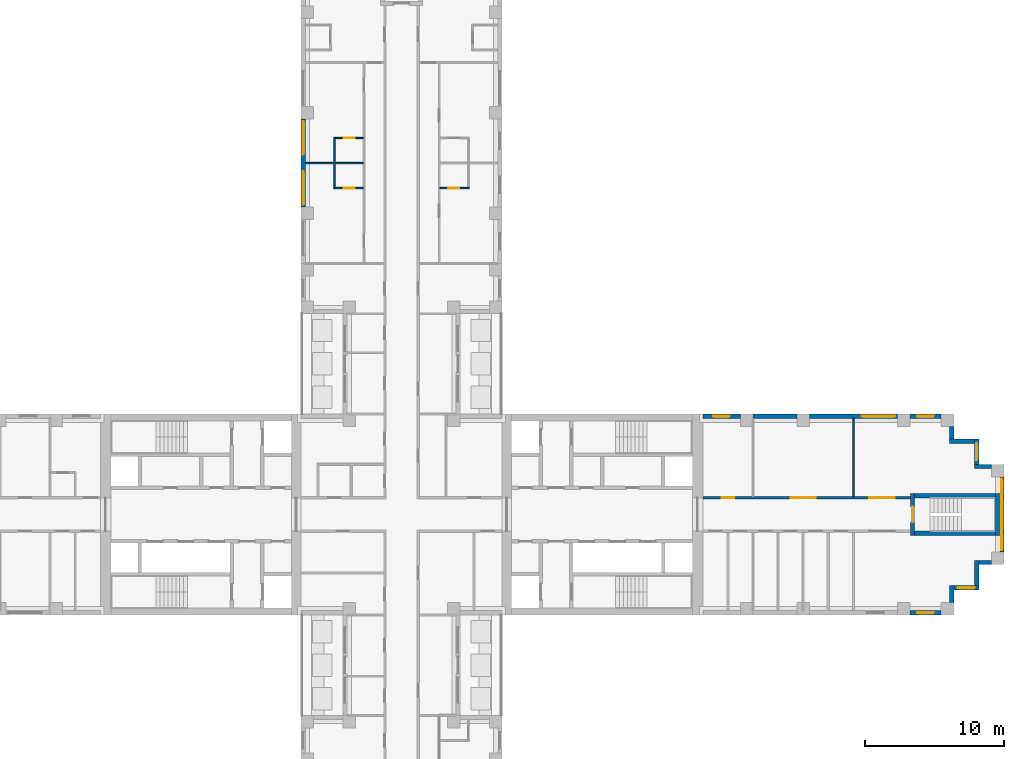
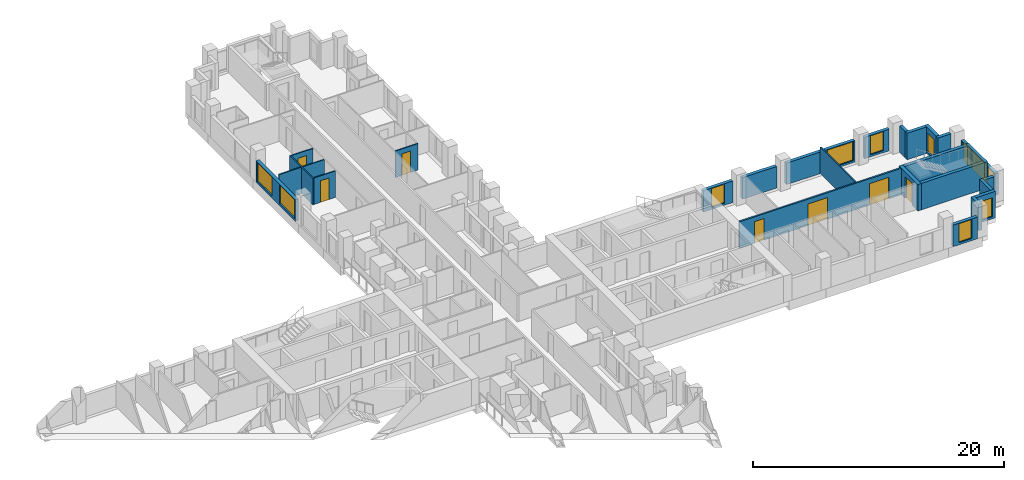
# One storey, part 11 of 16: 26 walls, 11 windows, 7 doors, 18 openings.
"""IFC4 building model written with IfcOpenShell, lengths in metres."""

from ifc_helpers import new_model, si_unit, direction, frame, frame_2d, origin, place, context, subcontext, project, spatial, rectangle, extrude, material, layer, layer_set, type_object, element, fill, save


model = new_model("IFC4")

# Units and contexts
model_context = context("Model", 3, precision=1e-05, world=origin(), true_north=direction((0.0, 1.0)))
body_context = subcontext(model_context, "Body", "Model", "MODEL_VIEW")
ifc_project = project(units=[si_unit("LENGTHUNIT", "METRE"), si_unit("AREAUNIT", "SQUARE_METRE"), si_unit("VOLUMEUNIT", "CUBIC_METRE"), si_unit("PLANEANGLEUNIT", "RADIAN"), si_unit("MASSUNIT", "GRAM", prefix="KILO")], contexts=[model_context])

# Site, building, storey
site_placement = place(None, origin())
site = spatial("IfcSite", under=ifc_project, at=site_placement, CompositionType="ELEMENT")
building_placement = place(site_placement, origin())
building = spatial("IfcBuilding", under=site, at=building_placement, Name="Fustian Cross Tower", CompositionType="ELEMENT")
storey_placement = place(building_placement, frame((0.0, 0.0, 23.699951171875)))
storey = spatial("IfcBuildingStorey", under=building, at=storey_placement, Name="L06", CompositionType="ELEMENT", Elevation=23.699951171875)

# Wall, openings, doors
ifc_material_1 = material(Name="Plasterboard on steel stud", Category="steel")
ifc_layer_1 = layer(ifc_material_1, 0.14990234375)
ifc_layer_set_1 = layer_set([ifc_layer_1], Name="Plasterboard on steel stud")
wall_type_1 = type_object("IfcWallType", Name="COMPARTMENT WALL 150 EI 60", PredefinedType="PARTITIONING", material=ifc_layer_set_1)
wall_1_placement = place(storey_placement, frame((21.60009765625, 1.199951171875, 0.0), z_axis=(0.0, 0.0, 1.0), x_axis=(1.0, 0.0, 0.0)))
wall_1 = element("IfcWall", 1, at=wall_1_placement, inside=storey, type_object=wall_type_1, Name="Partition 93", PredefinedType="PARTITIONING", context=body_context, shape_type="SweptSolid", body=[
    extrude(rectangle(XDim=14.89990234375, YDim=0.14990234375, at=frame_2d((7.449951171875, 0.0))), origin(), (0.0, 0.0, 1.0), 2.574951171875),
])
opening_1_placement = place(wall_1_placement, frame((1.35009765625, 0.0, 0.0)))
opening_1 = element("IfcOpeningElement", 2, at=opening_1_placement, cuts=wall_1, Name="Opening D05010", PredefinedType="OPENING", context=body_context, shape_type="SweptSolid", body=[
    extrude(rectangle(XDim=0.89990234375, YDim=2.10009765625, at=frame_2d((0.449951171875, 1.050048828125))), frame((0.0, 0.0849609375, 0.0), z_axis=(0.0, -1.0, 0.0), x_axis=(1.0, 0.0, 0.0)), (0.0, 0.0, 1.0), 0.169921875),
])
opening_2_placement = place(wall_1_placement, frame((6.300048828125, 0.0, 0.0)))
opening_2 = element("IfcOpeningElement", 3, at=opening_2_placement, cuts=wall_1, Name="Opening D05011", PredefinedType="OPENING", context=body_context, shape_type="SweptSolid", body=[
    extrude(rectangle(XDim=1.800048828125, YDim=2.10009765625, at=frame_2d((0.89990234375, 1.050048828125))), frame((0.0, 0.0849609375, 0.0), z_axis=(0.0, -1.0, 0.0), x_axis=(1.0, 0.0, 0.0)), (0.0, 0.0, 1.0), 0.169921875),
])
opening_3_placement = place(wall_1_placement, frame((11.949951171875, 0.0, 0.0)))
opening_3 = element("IfcOpeningElement", 4, at=opening_3_placement, cuts=wall_1, Name="Opening D05012", PredefinedType="OPENING", context=body_context, shape_type="SweptSolid", body=[
    extrude(rectangle(XDim=1.800048828125, YDim=2.10009765625, at=frame_2d((0.89990234375, 1.050048828125))), frame((0.0, 0.0849609375, 0.0), z_axis=(0.0, -1.0, 0.0), x_axis=(1.0, 0.0, 0.0)), (0.0, 0.0, 1.0), 0.169921875),
])
ifc_material_2 = material(Name="Timber fire door set", Category="wood")
door_type_1 = type_object("IfcDoorType", Name="FIRE DOUBLE DOOR 1800 FD30S", OperationType="DOUBLE_DOOR_DOUBLE_SWING", PredefinedType="DOOR", material=ifc_material_2)
door_1_placement = place(opening_2_placement, frame((1.800048828125, 0.0, 0.0), z_axis=(0.0, 0.0, 1.0), x_axis=(-1.0, 0.0, 0.0)))
door_1 = element("IfcDoor", 5, at=door_1_placement, inside=storey, type_object=door_type_1, Name="Door D05011", OperationType="DOUBLE_DOOR_DOUBLE_SWING", OverallHeight=2.10009765625, OverallWidth=1.800048828125, PredefinedType="DOOR", context=body_context, shape_type="SweptSolid", body=[
    extrude(rectangle(XDim=1.800048828125, YDim=2.10009765625, at=frame_2d((0.89990234375, 1.050048828125))), frame((0.0, 0.02490234375, 0.0), z_axis=(0.0, -1.0, 0.0), x_axis=(1.0, 0.0, 0.0)), (0.0, 0.0, 1.0), 0.050048828125),
])
fill(opening_2, door_1)
door_2_placement = place(opening_3_placement, frame((1.800048828125, 0.0, 0.0), z_axis=(0.0, 0.0, 1.0), x_axis=(-1.0, 0.0, 0.0)))
door_2 = element("IfcDoor", 6, at=door_2_placement, inside=storey, type_object=door_type_1, Name="Door D05012", OperationType="DOUBLE_DOOR_DOUBLE_SWING", OverallHeight=2.10009765625, OverallWidth=1.800048828125, PredefinedType="DOOR", context=body_context, shape_type="SweptSolid", body=[
    extrude(rectangle(XDim=1.800048828125, YDim=2.10009765625, at=frame_2d((0.89990234375, 1.050048828125))), frame((0.0, 0.02490234375, 0.0), z_axis=(0.0, -1.0, 0.0), x_axis=(1.0, 0.0, 0.0)), (0.0, 0.0, 1.0), 0.050048828125),
])
fill(opening_3, door_2)
ifc_material_3 = material(Name="Timber fire door set", Category="wood")
door_type_2 = type_object("IfcDoorType", Name="FIRE SWING DOOR 900 FD30S", OperationType="SINGLE_SWING_LEFT", PredefinedType="DOOR", material=ifc_material_3)
door_3_placement = place(opening_1_placement, origin())
door_3 = element("IfcDoor", 7, at=door_3_placement, inside=storey, type_object=door_type_2, Name="Door D05010", OperationType="SINGLE_SWING_LEFT", OverallHeight=2.10009765625, OverallWidth=0.89990234375, PredefinedType="DOOR", context=body_context, shape_type="SweptSolid", body=[
    extrude(rectangle(XDim=0.89990234375, YDim=2.10009765625, at=frame_2d((0.449951171875, 1.050048828125))), frame((0.0, 0.02490234375, 0.0), z_axis=(0.0, -1.0, 0.0), x_axis=(1.0, 0.0, 0.0)), (0.0, 0.0, 1.0), 0.050048828125),
])
fill(opening_1, door_3)

# Walls
ifc_material_4 = material(Name="Plasterboard on steel stud", Category="steel")
ifc_layer_2 = layer(ifc_material_4, 0.10009765625)
ifc_layer_set_2 = layer_set([ifc_layer_2], Name="Plasterboard on steel stud")
wall_type_2 = type_object("IfcWallType", Name="PARTITION 100 STUD", PredefinedType="PARTITIONING", material=ifc_layer_set_2)
wall_2_placement = place(storey_placement, frame((-6.89990234375, 25.199951171875, 0.0), z_axis=(0.0, 0.0, 1.0), x_axis=(1.0, 0.0, 0.0)))
element("IfcWall", 8, at=wall_2_placement, inside=storey, type_object=wall_type_2, Name="Partition 25", PredefinedType="PARTITIONING", context=body_context, shape_type="SweptSolid", body=[
    extrude(rectangle(XDim=4.14990234375, YDim=0.10009765625, at=frame_2d((2.074951171875, 0.0))), origin(), (0.0, 0.0, 1.0), 2.574951171875),
])
wall_3_placement = place(storey_placement, frame((-4.800048828125, 23.35009765625, 0.0), z_axis=(0.0, 0.0, 1.0), x_axis=(0.0, 1.0, 0.0)))
element("IfcWall", 9, at=wall_3_placement, inside=storey, type_object=wall_type_2, Name="Partition 39", PredefinedType="PARTITIONING", context=body_context, shape_type="SweptSolid", body=[
    extrude(rectangle(XDim=3.699951171875, YDim=0.10009765625, at=frame_2d((1.85009765625, 0.0))), origin(), (0.0, 0.0, 1.0), 2.574951171875),
])

# Wall, opening, door
wall_4_placement = place(storey_placement, frame((-4.75, 23.39990234375, 0.0), z_axis=(0.0, 0.0, 1.0), x_axis=(1.0, 0.0, 0.0)))
wall_4 = element("IfcWall", 10, at=wall_4_placement, inside=storey, type_object=wall_type_2, Name="Partition 40", PredefinedType="PARTITIONING", context=body_context, shape_type="SweptSolid", body=[
    extrude(rectangle(XDim=2.0, YDim=0.10009765625, at=frame_2d((1.0, 0.0))), origin(), (0.0, 0.0, 1.0), 2.574951171875),
])
opening_4_placement = place(wall_4_placement, frame((0.60009765625, 0.0, 0.0)))
opening_4 = element("IfcOpeningElement", 11, at=opening_4_placement, cuts=wall_4, Name="Opening D05028", PredefinedType="OPENING", context=body_context, shape_type="SweptSolid", body=[
    extrude(rectangle(XDim=0.800048828125, YDim=2.10009765625, at=frame_2d((0.39990234375, 1.050048828125))), frame((0.0, 0.06005859375, 0.0), z_axis=(0.0, -1.0, 0.0), x_axis=(1.0, 0.0, 0.0)), (0.0, 0.0, 1.0), 0.1201171875),
])
ifc_material_5 = material(Name="Painted timber", Category="wood")
door_type_3 = type_object("IfcDoorType", Name="SWING DOOR 800", OperationType="SINGLE_SWING_LEFT", PredefinedType="DOOR", material=ifc_material_5)
door_4_placement = place(opening_4_placement, origin())
door_4 = element("IfcDoor", 12, at=door_4_placement, inside=storey, type_object=door_type_3, Name="Door D05028", OperationType="SINGLE_SWING_LEFT", OverallHeight=2.10009765625, OverallWidth=0.800048828125, PredefinedType="DOOR", context=body_context, shape_type="SweptSolid", body=[
    extrude(rectangle(XDim=0.800048828125, YDim=2.10009765625, at=frame_2d((0.39990234375, 1.050048828125))), frame((0.0, 0.02490234375, 0.0), z_axis=(0.0, -1.0, 0.0), x_axis=(1.0, 0.0, 0.0)), (0.0, 0.0, 1.0), 0.050048828125),
])
fill(opening_4, door_4)

wall_5_placement = place(storey_placement, frame((-4.75, 27.0, 0.0), z_axis=(0.0, 0.0, 1.0), x_axis=(1.0, 0.0, 0.0)))
wall_5 = element("IfcWall", 13, at=wall_5_placement, inside=storey, type_object=wall_type_2, Name="Partition 41", PredefinedType="PARTITIONING", context=body_context, shape_type="SweptSolid", body=[
    extrude(rectangle(XDim=2.0, YDim=0.10009765625, at=frame_2d((1.0, 0.0))), origin(), (0.0, 0.0, 1.0), 2.574951171875),
])
opening_5_placement = place(wall_5_placement, frame((0.60009765625, 0.0, 0.0)))
opening_5 = element("IfcOpeningElement", 14, at=opening_5_placement, cuts=wall_5, Name="Opening D05029", PredefinedType="OPENING", context=body_context, shape_type="SweptSolid", body=[
    extrude(rectangle(XDim=0.800048828125, YDim=2.10009765625, at=frame_2d((0.39990234375, 1.050048828125))), frame((0.0, 0.06005859375, 0.0), z_axis=(0.0, -1.0, 0.0), x_axis=(1.0, 0.0, 0.0)), (0.0, 0.0, 1.0), 0.1201171875),
])
door_5_placement = place(opening_5_placement, frame((0.800048828125, 0.0, 0.0), z_axis=(0.0, 0.0, 1.0), x_axis=(-1.0, 0.0, 0.0)))
door_5 = element("IfcDoor", 15, at=door_5_placement, inside=storey, type_object=door_type_3, Name="Door D05029", OperationType="SINGLE_SWING_RIGHT", OverallHeight=2.10009765625, OverallWidth=0.800048828125, PredefinedType="DOOR", context=body_context, shape_type="SweptSolid", body=[
    extrude(rectangle(XDim=0.800048828125, YDim=2.10009765625, at=frame_2d((0.39990234375, 1.050048828125))), frame((0.0, 0.02490234375, 0.0), z_axis=(0.0, -1.0, 0.0), x_axis=(1.0, 0.0, 0.0)), (0.0, 0.0, 1.0), 0.050048828125),
])
fill(opening_5, door_5)

wall_6_placement = place(storey_placement, frame((2.75, 23.39990234375, 0.0), z_axis=(0.0, 0.0, 1.0), x_axis=(1.0, 0.0, 0.0)))
wall_6 = element("IfcWall", 16, at=wall_6_placement, inside=storey, type_object=wall_type_2, Name="Partition 76", PredefinedType="PARTITIONING", context=body_context, shape_type="SweptSolid", body=[
    extrude(rectangle(XDim=2.10009765625, YDim=0.10009765625, at=frame_2d((1.050048828125, 0.0))), origin(), (0.0, 0.0, 1.0), 2.574951171875),
])
opening_6_placement = place(wall_6_placement, frame((0.60009765625, 0.0, 0.0)))
opening_6 = element("IfcOpeningElement", 17, at=opening_6_placement, cuts=wall_6, Name="Opening D05037", PredefinedType="OPENING", context=body_context, shape_type="SweptSolid", body=[
    extrude(rectangle(XDim=0.800048828125, YDim=2.10009765625, at=frame_2d((0.39990234375, 1.050048828125))), frame((0.0, 0.06005859375, 0.0), z_axis=(0.0, -1.0, 0.0), x_axis=(1.0, 0.0, 0.0)), (0.0, 0.0, 1.0), 0.1201171875),
])
door_6_placement = place(opening_6_placement, origin())
door_6 = element("IfcDoor", 18, at=door_6_placement, inside=storey, type_object=door_type_3, Name="Door D05037", OperationType="SINGLE_SWING_LEFT", OverallHeight=2.10009765625, OverallWidth=0.800048828125, PredefinedType="DOOR", context=body_context, shape_type="SweptSolid", body=[
    extrude(rectangle(XDim=0.800048828125, YDim=2.10009765625, at=frame_2d((0.39990234375, 1.050048828125))), frame((0.0, 0.02490234375, 0.0), z_axis=(0.0, -1.0, 0.0), x_axis=(1.0, 0.0, 0.0)), (0.0, 0.0, 1.0), 0.050048828125),
])
fill(opening_6, door_6)

# Wall
wall_7_placement = place(storey_placement, frame((32.39990234375, 1.27490234375, 0.0), z_axis=(0.0, 0.0, 1.0), x_axis=(0.0, 1.0, 0.0)))
element("IfcWall", 19, at=wall_7_placement, inside=storey, type_object=wall_type_2, Name="Partition 101", PredefinedType="PARTITIONING", context=body_context, shape_type="SweptSolid", body=[
    extrude(rectangle(XDim=5.625, YDim=0.10009765625, at=frame_2d((2.8125, 0.0))), origin(), (0.0, 0.0, 1.0), 2.574951171875),
])

# Wall, opening, door
ifc_material_6 = material(Name="Concrete C50/60", Category="concrete")
ifc_layer_3 = layer(ifc_material_6, 0.300048828125)
ifc_layer_set_3 = layer_set([ifc_layer_3], Name="Concrete C50/60")
wall_type_3 = type_object("IfcWallType", Name="STAIR ENCLOSURE WALL 300 C50/60", PredefinedType="SHEAR", material=ifc_layer_set_3)
wall_8_placement = place(storey_placement, frame((36.64990234375, -1.5, 0.0), z_axis=(0.0, 0.0, 1.0), x_axis=(0.0, 1.0, 0.0)))
wall_8 = element("IfcWall", 20, at=wall_8_placement, inside=storey, type_object=wall_type_3, Name="Stair enclosure wall", PredefinedType="SHEAR", context=body_context, shape_type="SweptSolid", body=[
    extrude(rectangle(XDim=3.0, YDim=0.300048828125, at=frame_2d((1.5, 0.0))), origin(), (0.0, 0.0, 1.0), 2.574951171875),
])
opening_7_placement = place(wall_8_placement, frame((0.949951171875, 0.0, 0.0)))
opening_7 = element("IfcOpeningElement", 21, at=opening_7_placement, cuts=wall_8, Name="Opening CD-05-33", PredefinedType="OPENING", context=body_context, shape_type="SweptSolid", body=[
    extrude(rectangle(XDim=1.10009765625, YDim=2.10009765625, at=frame_2d((0.550048828125, 1.050048828125))), frame((0.0, 0.159912109375, 0.0), z_axis=(0.0, -1.0, 0.0), x_axis=(1.0, 0.0, 0.0)), (0.0, 0.0, 1.0), 0.320068359375),
])
ifc_material_7 = material(Name="Steel", Category="steel")
door_type_4 = type_object("IfcDoorType", Name="FIRE DOOR FD60S 1100X2100", OperationType="SINGLE_SWING_LEFT", PredefinedType="DOOR", material=ifc_material_7)
door_7_placement = place(opening_7_placement, frame((1.10009765625, 0.0, 0.0), z_axis=(0.0, 0.0, 1.0), x_axis=(-1.0, 0.0, 0.0)))
door_7 = element("IfcDoor", 22, at=door_7_placement, inside=storey, type_object=door_type_4, Name="Core door CD-05-33", OperationType="SINGLE_SWING_RIGHT", OverallHeight=2.10009765625, OverallWidth=1.10009765625, PredefinedType="DOOR", context=body_context, shape_type="SweptSolid", body=[
    extrude(rectangle(XDim=1.10009765625, YDim=2.10009765625, at=frame_2d((0.550048828125, 1.050048828125))), frame((0.0, 0.02490234375, 0.0), z_axis=(0.0, -1.0, 0.0), x_axis=(1.0, 0.0, 0.0)), (0.0, 0.0, 1.0), 0.050048828125),
])
fill(opening_7, door_7)

# Walls
wall_9_placement = place(storey_placement, frame((42.75, -1.5, 0.0), z_axis=(0.0, 0.0, 1.0), x_axis=(0.0, 1.0, 0.0)))
element("IfcWall", 23, at=wall_9_placement, inside=storey, type_object=wall_type_3, Name="Stair enclosure wall", PredefinedType="SHEAR", context=body_context, shape_type="SweptSolid", body=[
    extrude(rectangle(XDim=3.0, YDim=0.300048828125, at=frame_2d((1.5, 0.0))), origin(), (0.0, 0.0, 1.0), 2.574951171875),
])
for number, where, z_axis, x_axis, name in (
    (24, (36.800048828125, -1.35009765625, 0.0), (0.0, 0.0, 1.0), (1.0, 0.0, 0.0), "Stair enclosure wall"),
    (25, (36.800048828125, 1.35009765625, 0.0), (0.0, 0.0, 1.0), (1.0, 0.0, 0.0), "Stair enclosure wall"),
):
    element("IfcWall", number, at=place(storey_placement, frame(where, z_axis=z_axis, x_axis=x_axis)), inside=storey, type_object=wall_type_3, Name=name, PredefinedType="SHEAR", context=body_context, shape_type="SweptSolid", body=[
        extrude(rectangle(XDim=5.800048828125, YDim=0.300048828125, at=frame_2d((2.89990234375, 0.0))), origin(), (0.0, 0.0, 1.0), 2.574951171875),
    ])

# Wall, opening, window
ifc_material_8 = material(Name="Dark aluminium cladding on insulated backing wall", Category="aluminium")
ifc_layer_4 = layer(ifc_material_8, 0.300048828125)
ifc_layer_set_4 = layer_set([ifc_layer_4], Name="Dark aluminium cladding on insulated backing wall")
wall_type_4 = type_object("IfcWallType", Name="XW1 EXTERNAL WALL 300", PredefinedType="SOLIDWALL", material=ifc_layer_set_4)
wall_10_placement = place(storey_placement, frame((36.449951171875, -7.050048828125, 0.0), z_axis=(0.0, 0.0, 1.0), x_axis=(1.0, 0.0, 0.0)))
wall_10 = element("IfcWall", 26, at=wall_10_placement, inside=storey, type_object=wall_type_4, Name="External wall", PredefinedType="SOLIDWALL", context=body_context, shape_type="SweptSolid", body=[
    extrude(rectangle(XDim=2.25, YDim=0.300048828125, at=frame_2d((1.125, 0.0))), origin(), (0.0, 0.0, 1.0), 2.10009765625),
])
opening_8_placement = place(wall_10_placement, frame((0.52490234375, 0.0, 0.199951171875)))
opening_8 = element("IfcOpeningElement", 27, at=opening_8_placement, cuts=wall_10, Name="Opening WN3", PredefinedType="OPENING", context=body_context, shape_type="SweptSolid", body=[
    extrude(rectangle(XDim=1.199951171875, YDim=1.85009765625, at=frame_2d((0.60009765625, 0.925048828125))), frame((0.0, 0.159912109375, 0.0), z_axis=(0.0, -1.0, 0.0), x_axis=(1.0, 0.0, 0.0)), (0.0, 0.0, 1.0), 0.320068359375),
])
ifc_material_9 = material(Name="Dark anodised aluminium and double glazing", Category="aluminium")
window_type_1 = type_object("IfcWindowType", Name="WN3 WINDOW 1200X1850", PartitioningType="SINGLE_PANEL", PredefinedType="WINDOW", material=ifc_material_9)
window_1_placement = place(opening_8_placement, origin())
window_1 = element("IfcWindow", 28, at=window_1_placement, inside=storey, type_object=window_type_1, Name="Window", OverallHeight=1.85009765625, OverallWidth=1.199951171875, PartitioningType="SINGLE_PANEL", PredefinedType="WINDOW", context=body_context, shape_type="SweptSolid", body=[
    extrude(rectangle(XDim=1.199951171875, YDim=1.85009765625, at=frame_2d((0.60009765625, 0.925048828125))), frame((0.0, 0.030029296875, 0.0), z_axis=(0.0, -1.0, 0.0), x_axis=(1.0, 0.0, 0.0)), (0.0, 0.0, 1.0), 0.06005859375),
])
fill(opening_8, window_1)

# Wall
wall_11_placement = place(storey_placement, frame((39.449951171875, -6.300048828125, 0.0), z_axis=(0.0, 0.0, 1.0), x_axis=(0.0, 1.0, 0.0)))
element("IfcWall", 29, at=wall_11_placement, inside=storey, type_object=wall_type_4, Name="External wall", PredefinedType="SOLIDWALL", context=body_context, shape_type="SweptSolid", body=[
    extrude(rectangle(XDim=1.199951171875, YDim=0.300048828125, at=frame_2d((0.60009765625, 0.0))), origin(), (0.0, 0.0, 1.0), 2.574951171875),
])

# Wall, opening, window
wall_12_placement = place(storey_placement, frame((39.60009765625, -5.25, 0.0), z_axis=(0.0, 0.0, 1.0), x_axis=(1.0, 0.0, 0.0)))
wall_12 = element("IfcWall", 30, at=wall_12_placement, inside=storey, type_object=wall_type_4, Name="External wall", PredefinedType="SOLIDWALL", context=body_context, shape_type="SweptSolid", body=[
    extrude(rectangle(XDim=1.7998046875, YDim=0.300048828125, at=frame_2d((0.89990234375, 0.0))), origin(), (0.0, 0.0, 1.0), 2.574951171875),
])
opening_9_placement = place(wall_12_placement, frame((0.300048828125, 0.0, 0.199951171875)))
opening_9 = element("IfcOpeningElement", 31, at=opening_9_placement, cuts=wall_12, Name="Opening WN3", PredefinedType="OPENING", context=body_context, shape_type="SweptSolid", body=[
    extrude(rectangle(XDim=1.199951171875, YDim=1.85009765625, at=frame_2d((0.60009765625, 0.925048828125))), frame((0.0, 0.159912109375, 0.0), z_axis=(0.0, -1.0, 0.0), x_axis=(1.0, 0.0, 0.0)), (0.0, 0.0, 1.0), 0.320068359375),
])
window_2_placement = place(opening_9_placement, origin())
window_2 = element("IfcWindow", 32, at=window_2_placement, inside=storey, type_object=window_type_1, Name="Window", OverallHeight=1.85009765625, OverallWidth=1.199951171875, PartitioningType="SINGLE_PANEL", PredefinedType="WINDOW", context=body_context, shape_type="SweptSolid", body=[
    extrude(rectangle(XDim=1.199951171875, YDim=1.85009765625, at=frame_2d((0.60009765625, 0.925048828125))), frame((0.0, 0.030029296875, 0.0), z_axis=(0.0, -1.0, 0.0), x_axis=(1.0, 0.0, 0.0)), (0.0, 0.0, 1.0), 0.06005859375),
])
fill(opening_9, window_2)

# Walls
wall_13_placement = place(storey_placement, frame((41.25, -5.10009765625, 0.0), z_axis=(0.0, 0.0, 1.0), x_axis=(0.0, 1.0, 0.0)))
element("IfcWall", 33, at=wall_13_placement, inside=storey, type_object=wall_type_4, Name="External wall", PredefinedType="SOLIDWALL", context=body_context, shape_type="SweptSolid", body=[
    extrude(rectangle(XDim=1.800048828125, YDim=0.300048828125, at=frame_2d((0.89990234375, 0.0))), origin(), (0.0, 0.0, 1.0), 2.574951171875),
])
wall_14_placement = place(storey_placement, frame((41.39990234375, -3.449951171875, 0.0), z_axis=(0.0, 0.0, 1.0), x_axis=(1.0, 0.0, 0.0)))
element("IfcWall", 34, at=wall_14_placement, inside=storey, type_object=wall_type_4, Name="External wall", PredefinedType="SOLIDWALL", context=body_context, shape_type="SweptSolid", body=[
    extrude(rectangle(XDim=0.900146484375, YDim=0.300048828125, at=frame_2d((0.4501953125, 0.0))), origin(), (0.0, 0.0, 1.0), 2.574951171875),
])

# Wall, openings, windows
wall_15_placement = place(storey_placement, frame((43.050048828125, -2.699951171875, 0.0), z_axis=(0.0, 0.0, 1.0), x_axis=(0.0, 1.0, 0.0)))
wall_15 = element("IfcWall", 35, at=wall_15_placement, inside=storey, type_object=wall_type_4, Name="External wall", PredefinedType="SOLIDWALL", context=body_context, shape_type="SweptSolid", body=[
    extrude(rectangle(XDim=5.39990234375, YDim=0.300048828125, at=frame_2d((2.699951171875, 0.0))), origin(), (0.0, 0.0, 1.0), 2.10009765625),
])
opening_10_placement = place(wall_15_placement, frame((1.5, 0.0, 0.199951171875)))
opening_10 = element("IfcOpeningElement", 36, at=opening_10_placement, cuts=wall_15, Name="Opening WN1", PredefinedType="OPENING", context=body_context, shape_type="SweptSolid", body=[
    extrude(rectangle(XDim=2.39990234375, YDim=1.85009765625, at=frame_2d((1.199951171875, 0.925048828125))), frame((0.0, 0.159912109375, 0.0), z_axis=(0.0, -1.0, 0.0), x_axis=(1.0, 0.0, 0.0)), (0.0, 0.0, 1.0), 0.320068359375),
])
opening_11_placement = place(wall_15_placement, frame((0.14990234375, 0.0, 0.199951171875)))
opening_11 = element("IfcOpeningElement", 37, at=opening_11_placement, cuts=wall_15, Name="Opening WN3", PredefinedType="OPENING", context=body_context, shape_type="SweptSolid", body=[
    extrude(rectangle(XDim=1.199951171875, YDim=1.85009765625, at=frame_2d((0.60009765625, 0.925048828125))), frame((0.0, 0.159912109375, 0.0), z_axis=(0.0, -1.0, 0.0), x_axis=(1.0, 0.0, 0.0)), (0.0, 0.0, 1.0), 0.320068359375),
])
opening_12_placement = place(wall_15_placement, frame((4.050048828125, 0.0, 0.199951171875)))
opening_12 = element("IfcOpeningElement", 38, at=opening_12_placement, cuts=wall_15, Name="Opening WN3", PredefinedType="OPENING", context=body_context, shape_type="SweptSolid", body=[
    extrude(rectangle(XDim=1.199951171875, YDim=1.85009765625, at=frame_2d((0.60009765625, 0.925048828125))), frame((0.0, 0.159912109375, 0.0), z_axis=(0.0, -1.0, 0.0), x_axis=(1.0, 0.0, 0.0)), (0.0, 0.0, 1.0), 0.320068359375),
])
ifc_material_10 = material(Name="Dark anodised aluminium and double glazing", Category="aluminium")
window_type_2 = type_object("IfcWindowType", Name="WN1 WINDOW 2400X1850", PartitioningType="SINGLE_PANEL", PredefinedType="WINDOW", material=ifc_material_10)
window_3_placement = place(opening_10_placement, origin())
window_3 = element("IfcWindow", 39, at=window_3_placement, inside=storey, type_object=window_type_2, Name="Window", OverallHeight=1.85009765625, OverallWidth=2.39990234375, PartitioningType="SINGLE_PANEL", PredefinedType="WINDOW", context=body_context, shape_type="SweptSolid", body=[
    extrude(rectangle(XDim=2.39990234375, YDim=1.85009765625, at=frame_2d((1.199951171875, 0.925048828125))), frame((0.0, 0.030029296875, 0.0), z_axis=(0.0, -1.0, 0.0), x_axis=(1.0, 0.0, 0.0)), (0.0, 0.0, 1.0), 0.06005859375),
])
fill(opening_10, window_3)
window_4_placement = place(opening_11_placement, origin())
window_4 = element("IfcWindow", 40, at=window_4_placement, inside=storey, type_object=window_type_1, Name="Window", OverallHeight=1.85009765625, OverallWidth=1.199951171875, PartitioningType="SINGLE_PANEL", PredefinedType="WINDOW", context=body_context, shape_type="SweptSolid", body=[
    extrude(rectangle(XDim=1.199951171875, YDim=1.85009765625, at=frame_2d((0.60009765625, 0.925048828125))), frame((0.0, 0.030029296875, 0.0), z_axis=(0.0, -1.0, 0.0), x_axis=(1.0, 0.0, 0.0)), (0.0, 0.0, 1.0), 0.06005859375),
])
fill(opening_11, window_4)
window_5_placement = place(opening_12_placement, origin())
window_5 = element("IfcWindow", 41, at=window_5_placement, inside=storey, type_object=window_type_1, Name="Window", OverallHeight=1.85009765625, OverallWidth=1.199951171875, PartitioningType="SINGLE_PANEL", PredefinedType="WINDOW", context=body_context, shape_type="SweptSolid", body=[
    extrude(rectangle(XDim=1.199951171875, YDim=1.85009765625, at=frame_2d((0.60009765625, 0.925048828125))), frame((0.0, 0.030029296875, 0.0), z_axis=(0.0, -1.0, 0.0), x_axis=(1.0, 0.0, 0.0)), (0.0, 0.0, 1.0), 0.06005859375),
])
fill(opening_12, window_5)

# Wall
wall_16_placement = place(storey_placement, frame((42.300048828125, 3.449951171875, 0.0), z_axis=(0.0, 0.0, 1.0), x_axis=(-1.0, 0.0, 0.0)))
element("IfcWall", 42, at=wall_16_placement, inside=storey, type_object=wall_type_4, Name="External wall", PredefinedType="SOLIDWALL", context=body_context, shape_type="SweptSolid", body=[
    extrude(rectangle(XDim=1.199951171875, YDim=0.300048828125, at=frame_2d((0.60009765625, 0.0))), origin(), (0.0, 0.0, 1.0), 2.574951171875),
])

# Wall, opening, window
wall_17_placement = place(storey_placement, frame((41.25, 3.60009765625, 0.0), z_axis=(0.0, 0.0, 1.0), x_axis=(0.0, 1.0, 0.0)))
wall_17 = element("IfcWall", 43, at=wall_17_placement, inside=storey, type_object=wall_type_4, Name="External wall", PredefinedType="SOLIDWALL", context=body_context, shape_type="SweptSolid", body=[
    extrude(rectangle(XDim=1.7998046875, YDim=0.300048828125, at=frame_2d((0.89990234375, 0.0))), origin(), (0.0, 0.0, 1.0), 2.574951171875),
])
opening_13_placement = place(wall_17_placement, frame((0.300048828125, 0.0, 0.199951171875)))
opening_13 = element("IfcOpeningElement", 44, at=opening_13_placement, cuts=wall_17, Name="Opening WN3", PredefinedType="OPENING", context=body_context, shape_type="SweptSolid", body=[
    extrude(rectangle(XDim=1.199951171875, YDim=1.85009765625, at=frame_2d((0.60009765625, 0.925048828125))), frame((0.0, 0.159912109375, 0.0), z_axis=(0.0, -1.0, 0.0), x_axis=(1.0, 0.0, 0.0)), (0.0, 0.0, 1.0), 0.320068359375),
])
window_6_placement = place(opening_13_placement, origin())
window_6 = element("IfcWindow", 45, at=window_6_placement, inside=storey, type_object=window_type_1, Name="Window", OverallHeight=1.85009765625, OverallWidth=1.199951171875, PartitioningType="SINGLE_PANEL", PredefinedType="WINDOW", context=body_context, shape_type="SweptSolid", body=[
    extrude(rectangle(XDim=1.199951171875, YDim=1.85009765625, at=frame_2d((0.60009765625, 0.925048828125))), frame((0.0, 0.030029296875, 0.0), z_axis=(0.0, -1.0, 0.0), x_axis=(1.0, 0.0, 0.0)), (0.0, 0.0, 1.0), 0.06005859375),
])
fill(opening_13, window_6)

# Walls
wall_18_placement = place(storey_placement, frame((41.10009765625, 5.25, 0.0), z_axis=(0.0, 0.0, 1.0), x_axis=(-1.0, 0.0, 0.0)))
element("IfcWall", 46, at=wall_18_placement, inside=storey, type_object=wall_type_4, Name="External wall", PredefinedType="SOLIDWALL", context=body_context, shape_type="SweptSolid", body=[
    extrude(rectangle(XDim=1.800048828125, YDim=0.300048828125, at=frame_2d((0.89990234375, 0.0))), origin(), (0.0, 0.0, 1.0), 2.574951171875),
])
wall_19_placement = place(storey_placement, frame((39.449951171875, 5.39990234375, 0.0), z_axis=(0.0, 0.0, 1.0), x_axis=(0.0, 1.0, 0.0)))
element("IfcWall", 47, at=wall_19_placement, inside=storey, type_object=wall_type_4, Name="External wall", PredefinedType="SOLIDWALL", context=body_context, shape_type="SweptSolid", body=[
    extrude(rectangle(XDim=0.900146484375, YDim=0.300048828125, at=frame_2d((0.4501953125, 0.0))), origin(), (0.0, 0.0, 1.0), 2.574951171875),
])

# Wall, opening, window
wall_20_placement = place(storey_placement, frame((38.699951171875, 7.050048828125, 0.0), z_axis=(0.0, 0.0, 1.0), x_axis=(-1.0, 0.0, 0.0)))
wall_20 = element("IfcWall", 48, at=wall_20_placement, inside=storey, type_object=wall_type_4, Name="External wall", PredefinedType="SOLIDWALL", context=body_context, shape_type="SweptSolid", body=[
    extrude(rectangle(XDim=2.25, YDim=0.300048828125, at=frame_2d((1.125, 0.0))), origin(), (0.0, 0.0, 1.0), 2.10009765625),
])
opening_14_placement = place(wall_20_placement, frame((0.52490234375, 0.0, 0.199951171875)))
opening_14 = element("IfcOpeningElement", 49, at=opening_14_placement, cuts=wall_20, Name="Opening WN3", PredefinedType="OPENING", context=body_context, shape_type="SweptSolid", body=[
    extrude(rectangle(XDim=1.199951171875, YDim=1.85009765625, at=frame_2d((0.60009765625, 0.925048828125))), frame((0.0, 0.159912109375, 0.0), z_axis=(0.0, -1.0, 0.0), x_axis=(1.0, 0.0, 0.0)), (0.0, 0.0, 1.0), 0.320068359375),
])
window_7_placement = place(opening_14_placement, origin())
window_7 = element("IfcWindow", 50, at=window_7_placement, inside=storey, type_object=window_type_1, Name="Window", OverallHeight=1.85009765625, OverallWidth=1.199951171875, PartitioningType="SINGLE_PANEL", PredefinedType="WINDOW", context=body_context, shape_type="SweptSolid", body=[
    extrude(rectangle(XDim=1.199951171875, YDim=1.85009765625, at=frame_2d((0.60009765625, 0.925048828125))), frame((0.0, 0.030029296875, 0.0), z_axis=(0.0, -1.0, 0.0), x_axis=(1.0, 0.0, 0.0)), (0.0, 0.0, 1.0), 0.06005859375),
])
fill(opening_14, window_7)

wall_21_placement = place(storey_placement, frame((35.550048828125, 7.050048828125, 0.0), z_axis=(0.0, 0.0, 1.0), x_axis=(-1.0, 0.0, 0.0)))
wall_21 = element("IfcWall", 51, at=wall_21_placement, inside=storey, type_object=wall_type_4, Name="External wall", PredefinedType="SOLIDWALL", context=body_context, shape_type="SweptSolid", body=[
    extrude(rectangle(XDim=6.300048828125, YDim=0.300048828125, at=frame_2d((3.14990234375, 0.0))), origin(), (0.0, 0.0, 1.0), 2.10009765625),
])
opening_15_placement = place(wall_21_placement, frame((0.14990234375, 0.0, 0.199951171875)))
opening_15 = element("IfcOpeningElement", 52, at=opening_15_placement, cuts=wall_21, Name="Opening WN1", PredefinedType="OPENING", context=body_context, shape_type="SweptSolid", body=[
    extrude(rectangle(XDim=2.39990234375, YDim=1.85009765625, at=frame_2d((1.199951171875, 0.925048828125))), frame((0.0, 0.159912109375, 0.0), z_axis=(0.0, -1.0, 0.0), x_axis=(1.0, 0.0, 0.0)), (0.0, 0.0, 1.0), 0.320068359375),
])
window_8_placement = place(opening_15_placement, origin())
window_8 = element("IfcWindow", 53, at=window_8_placement, inside=storey, type_object=window_type_2, Name="Window", OverallHeight=1.85009765625, OverallWidth=2.39990234375, PartitioningType="SINGLE_PANEL", PredefinedType="WINDOW", context=body_context, shape_type="SweptSolid", body=[
    extrude(rectangle(XDim=2.39990234375, YDim=1.85009765625, at=frame_2d((1.199951171875, 0.925048828125))), frame((0.0, 0.030029296875, 0.0), z_axis=(0.0, -1.0, 0.0), x_axis=(1.0, 0.0, 0.0)), (0.0, 0.0, 1.0), 0.06005859375),
])
fill(opening_15, window_8)

# Wall
wall_22_placement = place(storey_placement, frame((28.35009765625, 7.050048828125, 0.0), z_axis=(0.0, 0.0, 1.0), x_axis=(-1.0, 0.0, 0.0)))
element("IfcWall", 54, at=wall_22_placement, inside=storey, type_object=wall_type_4, Name="External wall", PredefinedType="SOLIDWALL", context=body_context, shape_type="SweptSolid", body=[
    extrude(rectangle(XDim=3.150146484375, YDim=0.300048828125, at=frame_2d((1.5751953125, 0.0))), origin(), (0.0, 0.0, 1.0), 2.10009765625),
])

# Wall, opening, window
wall_23_placement = place(storey_placement, frame((24.300048828125, 7.050048828125, 0.0), z_axis=(0.0, 0.0, 1.0), x_axis=(-1.0, 0.0, 0.0)))
wall_23 = element("IfcWall", 55, at=wall_23_placement, inside=storey, type_object=wall_type_4, Name="External wall", PredefinedType="SOLIDWALL", context=body_context, shape_type="SweptSolid", body=[
    extrude(rectangle(XDim=2.699951171875, YDim=0.300048828125, at=frame_2d((1.35009765625, 0.0))), origin(), (0.0, 0.0, 1.0), 2.10009765625),
])
opening_16_placement = place(wall_23_placement, frame((0.75, 0.0, 0.199951171875)))
opening_16 = element("IfcOpeningElement", 56, at=opening_16_placement, cuts=wall_23, Name="Opening WN3", PredefinedType="OPENING", context=body_context, shape_type="SweptSolid", body=[
    extrude(rectangle(XDim=1.199951171875, YDim=1.85009765625, at=frame_2d((0.60009765625, 0.925048828125))), frame((0.0, 0.159912109375, 0.0), z_axis=(0.0, -1.0, 0.0), x_axis=(1.0, 0.0, 0.0)), (0.0, 0.0, 1.0), 0.320068359375),
])
window_9_placement = place(opening_16_placement, origin())
window_9 = element("IfcWindow", 57, at=window_9_placement, inside=storey, type_object=window_type_1, Name="Window", OverallHeight=1.85009765625, OverallWidth=1.199951171875, PartitioningType="SINGLE_PANEL", PredefinedType="WINDOW", context=body_context, shape_type="SweptSolid", body=[
    extrude(rectangle(XDim=1.199951171875, YDim=1.85009765625, at=frame_2d((0.60009765625, 0.925048828125))), frame((0.0, 0.030029296875, 0.0), z_axis=(0.0, -1.0, 0.0), x_axis=(1.0, 0.0, 0.0)), (0.0, 0.0, 1.0), 0.06005859375),
])
fill(opening_16, window_9)

# Wall, openings, windows
wall_24_placement = place(storey_placement, frame((-7.050048828125, 28.35009765625, 0.0), z_axis=(0.0, 0.0, 1.0), x_axis=(0.0, -1.0, 0.0)))
wall_24 = element("IfcWall", 58, at=wall_24_placement, inside=storey, type_object=wall_type_4, Name="External wall", PredefinedType="SOLIDWALL", context=body_context, shape_type="SweptSolid", body=[
    extrude(rectangle(XDim=6.300048828125, YDim=0.300048828125, at=frame_2d((3.14990234375, 0.0))), origin(), (0.0, 0.0, 1.0), 2.10009765625),
])
opening_17_placement = place(wall_24_placement, frame((0.14990234375, 0.0, 0.199951171875)))
opening_17 = element("IfcOpeningElement", 59, at=opening_17_placement, cuts=wall_24, Name="Opening WN1", PredefinedType="OPENING", context=body_context, shape_type="SweptSolid", body=[
    extrude(rectangle(XDim=2.39990234375, YDim=1.85009765625, at=frame_2d((1.199951171875, 0.925048828125))), frame((0.0, 0.159912109375, 0.0), z_axis=(0.0, -1.0, 0.0), x_axis=(1.0, 0.0, 0.0)), (0.0, 0.0, 1.0), 0.320068359375),
])
opening_18_placement = place(wall_24_placement, frame((3.75, 0.0, 0.199951171875)))
opening_18 = element("IfcOpeningElement", 60, at=opening_18_placement, cuts=wall_24, Name="Opening WN1", PredefinedType="OPENING", context=body_context, shape_type="SweptSolid", body=[
    extrude(rectangle(XDim=2.39990234375, YDim=1.85009765625, at=frame_2d((1.199951171875, 0.925048828125))), frame((0.0, 0.159912109375, 0.0), z_axis=(0.0, -1.0, 0.0), x_axis=(1.0, 0.0, 0.0)), (0.0, 0.0, 1.0), 0.320068359375),
])
window_10_placement = place(opening_17_placement, origin())
window_10 = element("IfcWindow", 61, at=window_10_placement, inside=storey, type_object=window_type_2, Name="Window", OverallHeight=1.85009765625, OverallWidth=2.39990234375, PartitioningType="SINGLE_PANEL", PredefinedType="WINDOW", context=body_context, shape_type="SweptSolid", body=[
    extrude(rectangle(XDim=2.39990234375, YDim=1.85009765625, at=frame_2d((1.199951171875, 0.925048828125))), frame((0.0, 0.030029296875, 0.0), z_axis=(0.0, -1.0, 0.0), x_axis=(1.0, 0.0, 0.0)), (0.0, 0.0, 1.0), 0.06005859375),
])
fill(opening_17, window_10)
window_11_placement = place(opening_18_placement, origin())
window_11 = element("IfcWindow", 62, at=window_11_placement, inside=storey, type_object=window_type_2, Name="Window", OverallHeight=1.85009765625, OverallWidth=2.39990234375, PartitioningType="SINGLE_PANEL", PredefinedType="WINDOW", context=body_context, shape_type="SweptSolid", body=[
    extrude(rectangle(XDim=2.39990234375, YDim=1.85009765625, at=frame_2d((1.199951171875, 0.925048828125))), frame((0.0, 0.030029296875, 0.0), z_axis=(0.0, -1.0, 0.0), x_axis=(1.0, 0.0, 0.0)), (0.0, 0.0, 1.0), 0.06005859375),
])
fill(opening_18, window_11)

save(model, "model.ifc")
